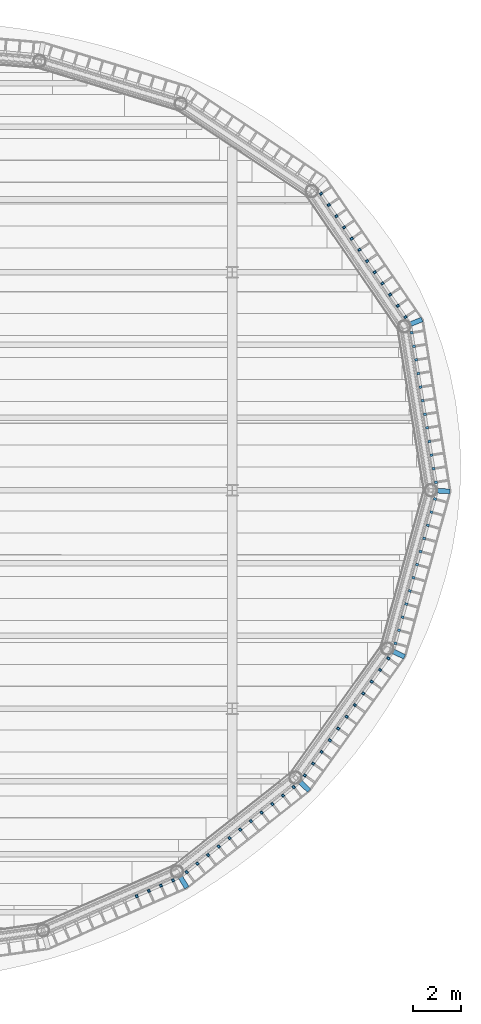
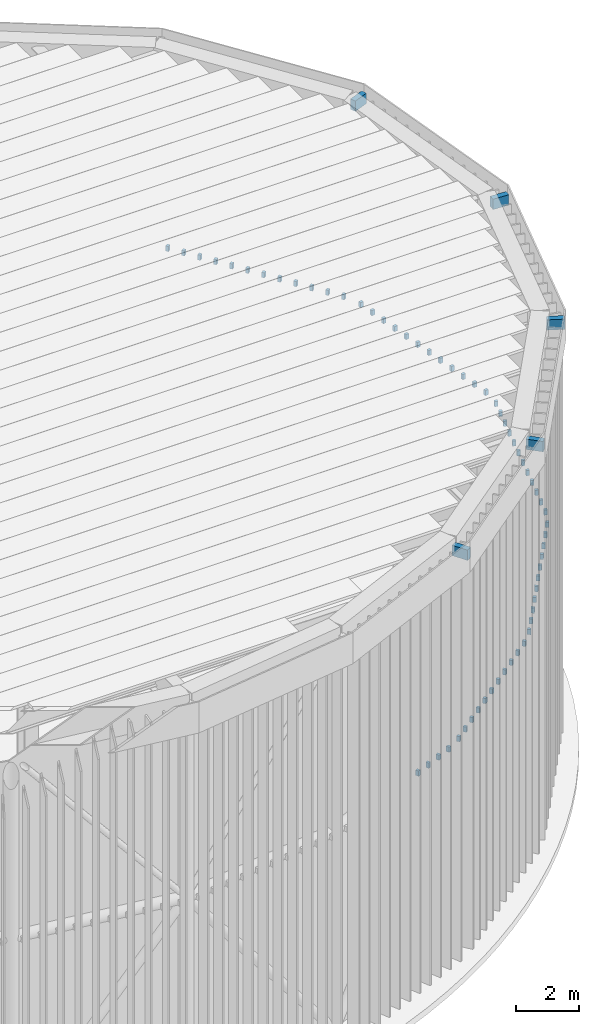
# One storey, part 7 of 11: 67 discrete accessories.
"""IFC4 building model written with IfcOpenShell, lengths in metres."""

from ifc_helpers import new_model, si_unit, direction, frame, origin, origin_2d, place, context, subcontext, project, spatial, rectangle, extrude, material, type_object, element, save


model = new_model("IFC4")

# Units and contexts
model_context = context("Model", 3, precision=1e-05, world=origin(), true_north=direction((0.0, 1.0)))
body_context = subcontext(model_context, "Body", "Model", "MODEL_VIEW")
ifc_project = project(units=[si_unit("LENGTHUNIT", "METRE"), si_unit("AREAUNIT", "SQUARE_METRE"), si_unit("VOLUMEUNIT", "CUBIC_METRE"), si_unit("PLANEANGLEUNIT", "RADIAN"), si_unit("MASSUNIT", "GRAM", prefix="KILO")], contexts=[model_context])

# Site, building, storey
site_placement = place(None, origin())
site = spatial("IfcSite", under=ifc_project, at=site_placement, CompositionType="ELEMENT")
building_placement = place(site_placement, origin())
building = spatial("IfcBuilding", under=site, at=building_placement, Name="Marramba Exchange Tower", CompositionType="ELEMENT")
storey_placement = place(building_placement, frame((0.0, 0.0, 282.0)))
storey = spatial("IfcBuildingStorey", under=building, at=storey_placement, Name="Roof crown", CompositionType="ELEMENT", Elevation=282.0)

# Discrete accessories
ifc_material = material(Name="Steel bracket, hot-dip galvanised", Category="steel")
discrete_accessory_type_1 = type_object("IfcDiscreteAccessoryType", Name="CROWN CAP PANEL BRACKET 200x400", PredefinedType="BRACKET", material=ifc_material)
discrete_accessory_1_placement = place(storey_placement, frame((22.3916015625, -0.0263671875, 15.300048828125), z_axis=(0.0, 0.0, 1.0), x_axis=(0.998558348152, -0.053677046638, 0.0)))
element("IfcDiscreteAccessory", 1, at=discrete_accessory_1_placement, inside=storey, type_object=discrete_accessory_type_1, Name="Crown cap panel bracket CB2 at post CF01", PredefinedType="BRACKET", context=body_context, shape_type="SweptSolid", body=[
    extrude(rectangle(XDim=0.570556640625, YDim=0.199951171875, at=origin_2d()), origin(), (0.0, 0.0, 1.0), 0.39990234375),
])
discrete_accessory_2_placement = place(storey_placement, frame((21.26611328125, 6.944091796875, 15.300048828125), z_axis=(0.0, 0.0, 1.0), x_axis=(0.928530290423, 0.371256649458, 0.0)))
element("IfcDiscreteAccessory", 2, at=discrete_accessory_2_placement, inside=storey, type_object=discrete_accessory_type_1, Name="Crown cap panel bracket CB2 at post CF02", PredefinedType="BRACKET", context=body_context, shape_type="SweptSolid", body=[
    extrude(rectangle(XDim=0.571044921875, YDim=0.199951171875, at=origin_2d()), origin(), (0.0, 0.0, 1.0), 0.39990234375),
])
discrete_accessory_3_placement = place(storey_placement, frame((11.680419921875, -16.147705078125, 15.300048828125), z_axis=(0.0, 0.0, 1.0), x_axis=(0.515941889598, -0.856623585105, 0.0)))
element("IfcDiscreteAccessory", 3, at=discrete_accessory_3_placement, inside=storey, type_object=discrete_accessory_type_1, Name="Crown cap panel bracket CB2 at post CF18", PredefinedType="BRACKET", context=body_context, shape_type="SweptSolid", body=[
    extrude(rectangle(XDim=0.563720703125, YDim=0.199951171875, at=origin_2d()), origin(), (0.0, 0.0, 1.0), 0.39990234375),
])
discrete_accessory_4_placement = place(storey_placement, frame((16.667236328125, -12.18798828125, 15.300048828125), z_axis=(0.0, 0.0, 1.0), x_axis=(0.725106366622, -0.688636883331, 0.0)))
element("IfcDiscreteAccessory", 4, at=discrete_accessory_4_placement, inside=storey, type_object=discrete_accessory_type_1, Name="Crown cap panel bracket CB2 at post CF19", PredefinedType="BRACKET", context=body_context, shape_type="SweptSolid", body=[
    extrude(rectangle(XDim=0.564453125, YDim=0.199951171875, at=origin_2d()), origin(), (0.0, 0.0, 1.0), 0.39990234375),
])
discrete_accessory_5_placement = place(storey_placement, frame((20.55029296875, -6.743408203125, 15.300048828125), z_axis=(0.0, 0.0, 1.0), x_axis=(0.903255884857, -0.429102326342, 0.0)))
element("IfcDiscreteAccessory", 5, at=discrete_accessory_5_placement, inside=storey, type_object=discrete_accessory_type_1, Name="Crown cap panel bracket CB2 at post CF20", PredefinedType="BRACKET", context=body_context, shape_type="SweptSolid", body=[
    extrude(rectangle(XDim=0.567138671875, YDim=0.199951171875, at=origin_2d()), origin(), (0.0, 0.0, 1.0), 0.39990234375),
])
discrete_accessory_type_2 = type_object("IfcDiscreteAccessoryType", Name="CROWN SCREEN FIN BRACKET 100x200", PredefinedType="BRACKET", material=ifc_material)
for number, where, z_axis, x_axis, name in (
    (6, (22.1005859375, 0.336181640625, 7.89990234375), (0.0, 0.0, 1.0), (-0.159394110696, 0.987215031022, 0.0), "Crown screen fin bracket CB1 bay 01 fin 01"),
    (7, (22.010009765625, 0.89697265625, 7.89990234375), (0.0, 0.0, 1.0), (-0.159394110696, 0.987215031022, 0.0), "Crown screen fin bracket CB1 bay 01 fin 02"),
    (8, (21.91943359375, 1.457763671875, 7.89990234375), (0.0, 0.0, 1.0), (-0.159394110696, 0.987215031022, 0.0), "Crown screen fin bracket CB1 bay 01 fin 03"),
    (9, (21.828857421875, 2.0185546875, 7.89990234375), (0.0, 0.0, 1.0), (-0.159394110696, 0.987215031022, 0.0), "Crown screen fin bracket CB1 bay 01 fin 04"),
    (10, (21.73828125, 2.579345703125, 7.89990234375), (0.0, 0.0, 1.0), (-0.159394110696, 0.987215031022, 0.0), "Crown screen fin bracket CB1 bay 01 fin 05"),
    (11, (21.64794921875, 3.14013671875, 7.89990234375), (0.0, 0.0, 1.0), (-0.159394110696, 0.987215031022, 0.0), "Crown screen fin bracket CB1 bay 01 fin 06"),
    (12, (21.557373046875, 3.700927734375, 7.89990234375), (0.0, 0.0, 1.0), (-0.159394110696, 0.987215031022, 0.0), "Crown screen fin bracket CB1 bay 01 fin 07"),
    (13, (21.466796875, 4.26171875, 7.89990234375), (0.0, 0.0, 1.0), (-0.159394110696, 0.987215031022, 0.0), "Crown screen fin bracket CB1 bay 01 fin 08"),
    (14, (21.376220703125, 4.822509765625, 7.89990234375), (0.0, 0.0, 1.0), (-0.159394110696, 0.987215031022, 0.0), "Crown screen fin bracket CB1 bay 01 fin 09"),
    (15, (21.28564453125, 5.38330078125, 7.89990234375), (0.0, 0.0, 1.0), (-0.159394110696, 0.987215031022, 0.0), "Crown screen fin bracket CB1 bay 01 fin 10"),
    (16, (21.195068359375, 5.944091796875, 7.89990234375), (0.0, 0.0, 1.0), (-0.159394110696, 0.987215031022, 0.0), "Crown screen fin bracket CB1 bay 01 fin 11"),
    (17, (21.1044921875, 6.5048828125, 7.89990234375), (0.0, 0.0, 1.0), (-0.159394110696, 0.987215031022, 0.0), "Crown screen fin bracket CB1 bay 01 fin 12"),
    (18, (20.846435546875, 7.150634765625, 7.89990234375), (0.0, 0.0, 1.0), (-0.565176475793, 0.824970030492, 0.0), "Crown screen fin bracket CB1 bay 02 fin 01"),
    (19, (20.52978515625, 7.613037109375, 7.89990234375), (0.0, 0.0, 1.0), (-0.565176475793, 0.824970030492, 0.0), "Crown screen fin bracket CB1 bay 02 fin 02"),
    (20, (20.212890625, 8.0751953125, 7.89990234375), (0.0, 0.0, 1.0), (-0.565176475793, 0.824970030492, 0.0), "Crown screen fin bracket CB1 bay 02 fin 03"),
    (21, (19.896240234375, 8.53759765625, 7.89990234375), (0.0, 0.0, 1.0), (-0.565176475793, 0.824970030492, 0.0), "Crown screen fin bracket CB1 bay 02 fin 04"),
    (22, (19.57958984375, 8.999755859375, 7.89990234375), (0.0, 0.0, 1.0), (-0.565176475793, 0.824970030492, 0.0), "Crown screen fin bracket CB1 bay 02 fin 05"),
    (23, (19.262939453125, 9.4619140625, 7.89990234375), (0.0, 0.0, 1.0), (-0.565176475793, 0.824970030492, 0.0), "Crown screen fin bracket CB1 bay 02 fin 06"),
    (24, (18.9462890625, 9.92431640625, 7.89990234375), (0.0, 0.0, 1.0), (-0.565176475793, 0.824970030492, 0.0), "Crown screen fin bracket CB1 bay 02 fin 07"),
    (25, (18.629638671875, 10.386474609375, 7.89990234375), (0.0, 0.0, 1.0), (-0.565176475793, 0.824970030492, 0.0), "Crown screen fin bracket CB1 bay 02 fin 08"),
    (26, (18.31298828125, 10.848876953125, 7.89990234375), (0.0, 0.0, 1.0), (-0.565176475793, 0.824970030492, 0.0), "Crown screen fin bracket CB1 bay 02 fin 09"),
    (27, (17.99609375, 11.31103515625, 7.89990234375), (0.0, 0.0, 1.0), (-0.565176475793, 0.824970030492, 0.0), "Crown screen fin bracket CB1 bay 02 fin 10"),
    (28, (17.679443359375, 11.773193359375, 7.89990234375), (0.0, 0.0, 1.0), (-0.565176475793, 0.824970030492, 0.0), "Crown screen fin bracket CB1 bay 02 fin 11"),
    (29, (17.36279296875, 12.235595703125, 7.89990234375), (0.0, 0.0, 1.0), (-0.565176475793, 0.824970030492, 0.0), "Crown screen fin bracket CB1 bay 02 fin 12"),
    (30, (9.76220703125, -16.738525390625, 7.89990234375), (0.0, 0.0, 1.0), (0.915873732973, 0.401466443491, 0.0), "Crown screen fin bracket CB1 bay 17 fin 08"),
    (31, (10.260498046875, -16.520263671875, 7.89990234375), (0.0, 0.0, 1.0), (0.915873732973, 0.401466443491, 0.0), "Crown screen fin bracket CB1 bay 17 fin 09"),
    (32, (10.758544921875, -16.3017578125, 7.89990234375), (0.0, 0.0, 1.0), (0.915873732973, 0.401466443491, 0.0), "Crown screen fin bracket CB1 bay 17 fin 10"),
    (33, (11.256591796875, -16.08349609375, 7.89990234375), (0.0, 0.0, 1.0), (0.915873732973, 0.401466443491, 0.0), "Crown screen fin bracket CB1 bay 17 fin 11"),
    (34, (11.82177734375, -15.7431640625, 7.89990234375), (0.0, 0.0, 1.0), (0.783140458377, 0.621844854005, 0.0), "Crown screen fin bracket CB1 bay 18 fin 01"),
    (35, (12.263427734375, -15.392578125, 7.89990234375), (0.0, 0.0, 1.0), (0.783140458377, 0.621844854005, 0.0), "Crown screen fin bracket CB1 bay 18 fin 02"),
    (36, (12.704833984375, -15.0419921875, 7.89990234375), (0.0, 0.0, 1.0), (0.783140458377, 0.621844854005, 0.0), "Crown screen fin bracket CB1 bay 18 fin 03"),
    (37, (13.146240234375, -14.69140625, 7.89990234375), (0.0, 0.0, 1.0), (0.783140458377, 0.621844854005, 0.0), "Crown screen fin bracket CB1 bay 18 fin 04"),
    (38, (13.587890625, -14.3408203125, 7.89990234375), (0.0, 0.0, 1.0), (0.783140458377, 0.621844854005, 0.0), "Crown screen fin bracket CB1 bay 18 fin 05"),
    (39, (14.029296875, -13.990234375, 7.89990234375), (0.0, 0.0, 1.0), (0.783140458377, 0.621844854005, 0.0), "Crown screen fin bracket CB1 bay 18 fin 06"),
    (40, (14.470947265625, -13.6396484375, 7.89990234375), (0.0, 0.0, 1.0), (0.783140458377, 0.621844854005, 0.0), "Crown screen fin bracket CB1 bay 18 fin 07"),
    (41, (14.912353515625, -13.2890625, 7.89990234375), (0.0, 0.0, 1.0), (0.783140458377, 0.621844854005, 0.0), "Crown screen fin bracket CB1 bay 18 fin 08"),
    (42, (15.353759765625, -12.9384765625, 7.89990234375), (0.0, 0.0, 1.0), (0.783140458377, 0.621844854005, 0.0), "Crown screen fin bracket CB1 bay 18 fin 09"),
    (43, (15.79541015625, -12.587890625, 7.89990234375), (0.0, 0.0, 1.0), (0.783140458377, 0.621844854005, 0.0), "Crown screen fin bracket CB1 bay 18 fin 10"),
    (44, (16.23681640625, -12.2373046875, 7.89990234375), (0.0, 0.0, 1.0), (0.783140458377, 0.621844854005, 0.0), "Crown screen fin bracket CB1 bay 18 fin 11"),
    (45, (16.6943359375, -11.755615234375, 7.89990234375), (0.0, 0.0, 1.0), (0.580640249688, 0.814160242484, 0.0), "Crown screen fin bracket CB1 bay 19 fin 01"),
    (46, (17.0390625, -11.2724609375, 7.89990234375), (0.0, 0.0, 1.0), (0.580640249688, 0.814160242484, 0.0), "Crown screen fin bracket CB1 bay 19 fin 02"),
    (47, (17.383544921875, -10.789306640625, 7.89990234375), (0.0, 0.0, 1.0), (0.580640249688, 0.814160242484, 0.0), "Crown screen fin bracket CB1 bay 19 fin 03"),
    (48, (17.72802734375, -10.30615234375, 7.89990234375), (0.0, 0.0, 1.0), (0.580640249688, 0.814160242484, 0.0), "Crown screen fin bracket CB1 bay 19 fin 04"),
    (49, (18.07275390625, -9.822998046875, 7.89990234375), (0.0, 0.0, 1.0), (0.580640249688, 0.814160242484, 0.0), "Crown screen fin bracket CB1 bay 19 fin 05"),
    (50, (18.417236328125, -9.33984375, 7.89990234375), (0.0, 0.0, 1.0), (0.580640249688, 0.814160242484, 0.0), "Crown screen fin bracket CB1 bay 19 fin 06"),
    (51, (18.76171875, -8.85693359375, 7.89990234375), (0.0, 0.0, 1.0), (0.580640249688, 0.814160242484, 0.0), "Crown screen fin bracket CB1 bay 19 fin 07"),
    (52, (19.1064453125, -8.373779296875, 7.89990234375), (0.0, 0.0, 1.0), (0.580640249688, 0.814160242484, 0.0), "Crown screen fin bracket CB1 bay 19 fin 08"),
    (53, (19.450927734375, -7.890625, 7.89990234375), (0.0, 0.0, 1.0), (0.580640249688, 0.814160242484, 0.0), "Crown screen fin bracket CB1 bay 19 fin 09"),
    (54, (19.79541015625, -7.407470703125, 7.89990234375), (0.0, 0.0, 1.0), (0.580640249688, 0.814160242484, 0.0), "Crown screen fin bracket CB1 bay 19 fin 10"),
    (55, (20.14013671875, -6.92431640625, 7.89990234375), (0.0, 0.0, 1.0), (0.580640249688, 0.814160242484, 0.0), "Crown screen fin bracket CB1 bay 19 fin 11"),
    (56, (20.431396484375, -6.31103515625, 7.89990234375), (0.0, 0.0, 1.0), (0.264304395987, 0.964439311861, 0.0), "Crown screen fin bracket CB1 bay 20 fin 01"),
    (57, (20.57958984375, -5.769775390625, 7.89990234375), (0.0, 0.0, 1.0), (0.264304395987, 0.964439311861, 0.0), "Crown screen fin bracket CB1 bay 20 fin 02"),
    (58, (20.72802734375, -5.228271484375, 7.89990234375), (0.0, 0.0, 1.0), (0.264304395987, 0.964439311861, 0.0), "Crown screen fin bracket CB1 bay 20 fin 03"),
    (59, (20.87646484375, -4.68701171875, 7.89990234375), (0.0, 0.0, 1.0), (0.264304395987, 0.964439311861, 0.0), "Crown screen fin bracket CB1 bay 20 fin 04"),
    (60, (21.02490234375, -4.1455078125, 7.89990234375), (0.0, 0.0, 1.0), (0.264304395987, 0.964439311861, 0.0), "Crown screen fin bracket CB1 bay 20 fin 05"),
    (61, (21.173095703125, -3.604248046875, 7.89990234375), (0.0, 0.0, 1.0), (0.264304395987, 0.964439311861, 0.0), "Crown screen fin bracket CB1 bay 20 fin 06"),
    (62, (21.321533203125, -3.062744140625, 7.89990234375), (0.0, 0.0, 1.0), (0.264304395987, 0.964439311861, 0.0), "Crown screen fin bracket CB1 bay 20 fin 07"),
    (63, (21.469970703125, -2.521484375, 7.89990234375), (0.0, 0.0, 1.0), (0.264304395987, 0.964439311861, 0.0), "Crown screen fin bracket CB1 bay 20 fin 08"),
    (64, (21.6181640625, -1.97998046875, 7.89990234375), (0.0, 0.0, 1.0), (0.264304395987, 0.964439311861, 0.0), "Crown screen fin bracket CB1 bay 20 fin 09"),
    (65, (21.7666015625, -1.438720703125, 7.89990234375), (0.0, 0.0, 1.0), (0.264304395987, 0.964439311861, 0.0), "Crown screen fin bracket CB1 bay 20 fin 10"),
    (66, (21.9150390625, -0.897216796875, 7.89990234375), (0.0, 0.0, 1.0), (0.264304395987, 0.964439311861, 0.0), "Crown screen fin bracket CB1 bay 20 fin 11"),
    (67, (22.0634765625, -0.355712890625, 7.89990234375), (0.0, 0.0, 1.0), (0.264304395987, 0.964439311861, 0.0), "Crown screen fin bracket CB1 bay 20 fin 12"),
):
    element("IfcDiscreteAccessory", number, at=place(storey_placement, frame(where, z_axis=z_axis, x_axis=x_axis)), inside=storey, type_object=discrete_accessory_type_2, Name=name, PredefinedType="BRACKET", context=body_context, shape_type="SweptSolid", body=[
        extrude(rectangle(XDim=0.10009765625, YDim=0.11669921875, at=origin_2d()), origin(), (0.0, 0.0, 1.0), 0.199951171875),
    ])

save(model, "model.ifc")
